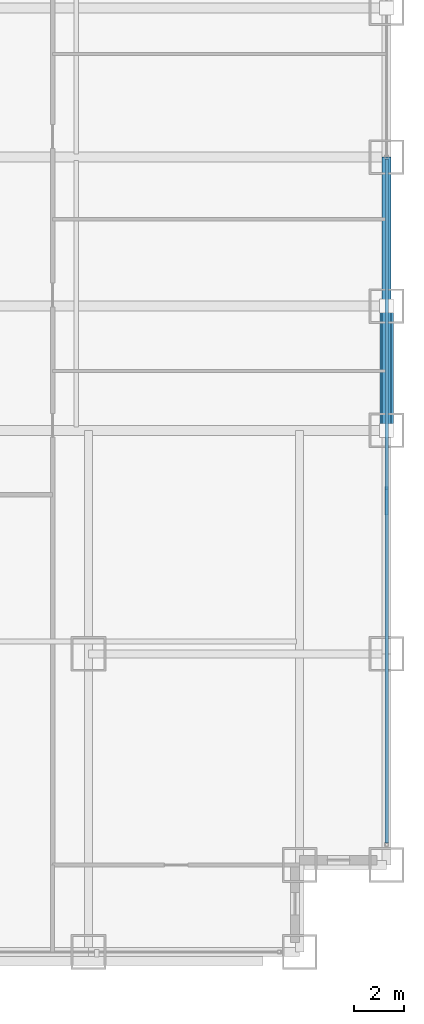
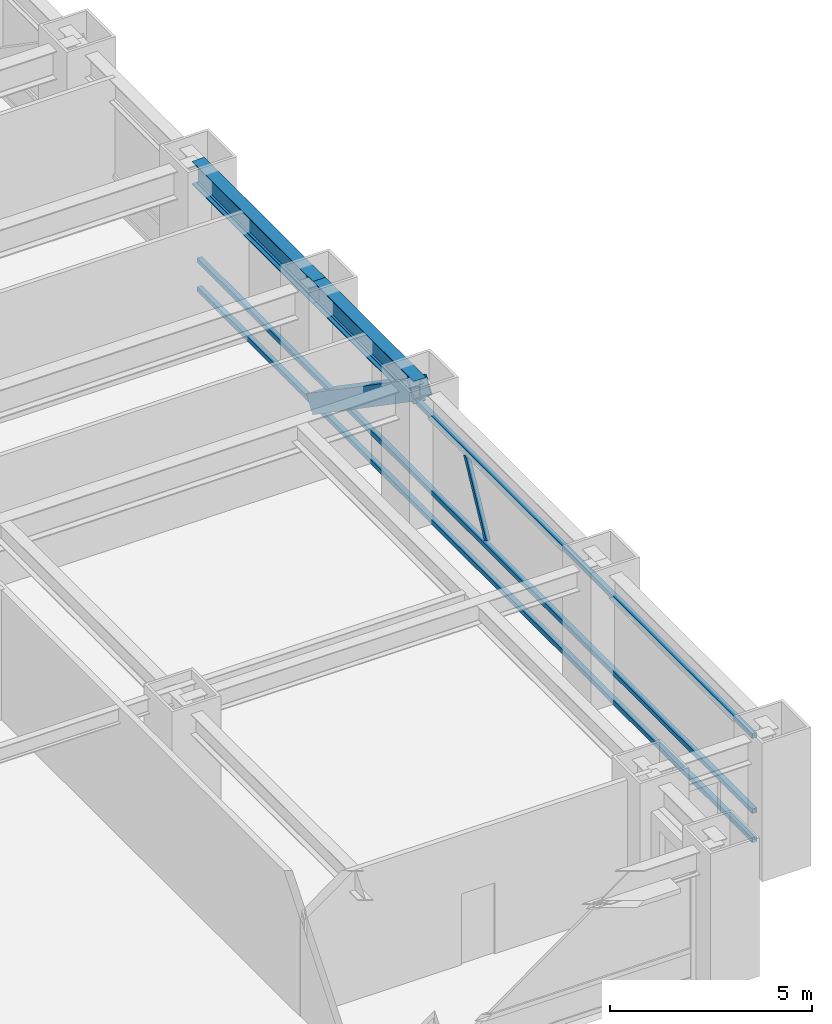
# One storey, part 13 of 32: 5 members, 2 beams, 1 element without a shape of its own.
"""IFC4 building model written with IfcOpenShell, lengths in metres."""

from ifc_helpers import new_model, si_unit, direction, frame, origin, origin_2d, place, context, subcontext, project, spatial, hollow_rectangle, i_section, extrude, source, transform, mapped, material, material_profile, profile_set, type_object, element, aggregate, save


model = new_model("IFC4")

# Units and contexts
model_context = context("Model", 3, precision=1e-05, world=origin(), true_north=direction((0.0, 1.0)))
body_context = subcontext(model_context, "Body", "Model", "MODEL_VIEW")
ifc_project = project(units=[si_unit("LENGTHUNIT", "METRE"), si_unit("AREAUNIT", "SQUARE_METRE"), si_unit("VOLUMEUNIT", "CUBIC_METRE"), si_unit("PLANEANGLEUNIT", "RADIAN"), si_unit("MASSUNIT", "GRAM", prefix="KILO")], contexts=[model_context])

# Site, building, storey
site_placement = place(None, origin())
site = spatial("IfcSite", under=ifc_project, at=site_placement, CompositionType="ELEMENT")
building_placement = place(site_placement, origin())
building = spatial("IfcBuilding", under=site, at=building_placement, Name="Khorayat Bourse Tower", CompositionType="ELEMENT")
storey_placement = place(building_placement, frame((0.0, 0.0, 70.39990234375)))
storey = spatial("IfcBuildingStorey", under=building, at=storey_placement, Name="L15", CompositionType="ELEMENT", Elevation=70.39990234375)

# Beams
ifc_material_1 = material(Name="Steel ASTM A992 Grade 50", Category="steel")
ifc_material_profile_1 = material_profile(ifc_material_1, i_section(OverallWidth=0.35498046875, OverallDepth=0.695068359375, WebThickness=0.015380859375, FlangeThickness=0.02490234375, FilletRadius=0.01806640625, at=origin_2d()), Name="W690X217")
ifc_profile_set_1 = profile_set([ifc_material_profile_1], Name="Steel ASTM A992 Grade 50")
beam_type = type_object("IfcBeamType", Name="BM-SPAN-690", PredefinedType="SPANDREL", material=ifc_profile_set_1)
shared_shape_1 = source(origin(), body_context, "Body", "SweptSolid", [
    extrude(i_section(OverallWidth=0.35498046875, OverallDepth=0.695068359375, WebThickness=0.015380859375, FlangeThickness=0.02490234375, FilletRadius=0.01806640625, at=origin_2d()), origin(), (0.0, 0.0, 1.0), 5.0),
])
beam_1_placement = place(storey_placement, frame((32.0, -11.0, 3.592529296875), z_axis=(0.0, 1.0, 0.0), x_axis=(-1.0, 0.0, 0.0)))
element("IfcBeam", 1, at=beam_1_placement, inside=storey, type_object=beam_type, Name="L15 BM-SPAN-690 BM-L15-SPN-036", PredefinedType="SPANDREL", context=body_context, shape_type="MappedRepresentation", body=[
    mapped(shared_shape_1, transform((0.0, 0.0, 0.0), scale=1.0)),
])
shared_shape_2 = source(origin(), body_context, "Body", "SweptSolid", [
    extrude(i_section(OverallWidth=0.35498046875, OverallDepth=0.695068359375, WebThickness=0.015380859375, FlangeThickness=0.02490234375, FilletRadius=0.01806640625, at=origin_2d()), origin(), (0.0, 0.0, 1.0), 6.0),
])
beam_2_placement = place(storey_placement, frame((32.0, -6.0, 3.592529296875), z_axis=(0.0, 1.0, 0.0), x_axis=(-1.0, 0.0, 0.0)))
element("IfcBeam", 2, at=beam_2_placement, inside=storey, type_object=beam_type, Name="L15 BM-SPAN-690 BM-L15-SPN-037", PredefinedType="SPANDREL", context=body_context, shape_type="MappedRepresentation", body=[
    mapped(shared_shape_2, transform((0.0, 0.0, 0.0), scale=1.0)),
])

# Member
ifc_material_2 = material(Name="Steel EN 10025-4 S460M", Category="steel")
ifc_material_profile_2 = material_profile(ifc_material_2, hollow_rectangle(XDim=0.550048828125, YDim=0.550048828125, WallThickness=0.031982421875, at=origin_2d()), Name="HSS 550x550x32")
ifc_profile_set_2 = profile_set([ifc_material_profile_2], Name="Steel EN 10025-4 S460M")
member_type_1 = type_object("IfcMemberType", Name="MBR-TUBE-550", PredefinedType="BRACE", material=ifc_profile_set_2)
shared_shape_3 = source(origin(), body_context, "Body", "SweptSolid", [
    extrude(hollow_rectangle(XDim=0.550048828125, YDim=0.550048828125, WallThickness=0.031982421875, at=origin_2d()), origin(), (0.0, 0.0, 1.0), 6.069091796875),
])
member_1_placement = place(storey_placement, frame((32.0, -11.0, 3.690185546875), z_axis=(0.0, 0.823835295996, -0.566829255659), x_axis=(-1.0, 0.0, 0.0)))
element("IfcMember", 3, at=member_1_placement, inside=storey, type_object=member_type_1, Name="L15 Perimeter Tube Brace 07", PredefinedType="BRACE", context=body_context, shape_type="MappedRepresentation", body=[
    mapped(shared_shape_3, transform((0.0, 0.0, 0.0), scale=1.0)),
])

# Curtain wall, members
ifc_material_3 = material(Name="Aluminium EN AW-6063 T6", Category="aluminium")
curtain_wall_type = type_object("IfcCurtainWallType", Name="CW-SYS-02", PredefinedType="NOTDEFINED", material=ifc_material_3)
curtain_wall_placement = place(storey_placement, origin())
curtain_wall = element("IfcCurtainWall", 4, at=curtain_wall_placement, inside=storey, type_object=curtain_wall_type, Name="L15 Curtain Wall CW-L15-E1", PredefinedType="NOTDEFINED")
ifc_material_profile_3 = material_profile(ifc_material_3, hollow_rectangle(XDim=0.1201171875, YDim=0.1201171875, WallThickness=0.0048828125, at=origin_2d()), Name="ALU 120x120x5")
ifc_profile_set_3 = profile_set([ifc_material_profile_3], Name="Aluminium EN AW-6063 T6")
member_type_2 = type_object("IfcMemberType", Name="CWM-DIAG-120", PredefinedType="MULLION", material=ifc_profile_set_3)
shared_shape_4 = source(origin(), body_context, "Body", "SweptSolid", [
    extrude(hollow_rectangle(XDim=0.1201171875, YDim=0.1201171875, WallThickness=0.0048828125, at=origin_2d()), origin(), (0.0, 0.0, 1.0), 2.22607421875),
])
member_2_placement = place(storey_placement, frame((32.0, -14.3583984375, 1.10009765625), z_axis=(0.0, 0.465759992596, 0.884911085532), x_axis=(-1.0, 0.0, 0.0)))
member_2 = element("IfcMember", 5, at=member_2_placement, type_object=member_type_2, Name="CW-L15-E1 Faceted Diagonal Mullion 1", PredefinedType="MULLION", context=body_context, shape_type="MappedRepresentation", body=[
    mapped(shared_shape_4, transform((0.0, 0.0, 0.0), scale=1.0)),
])
ifc_material_profile_4 = material_profile(ifc_material_3, hollow_rectangle(XDim=0.139892578125, YDim=0.139892578125, WallThickness=0.006103515625, at=origin_2d()), Name="ALU 140x140x6")
ifc_profile_set_4 = profile_set([ifc_material_profile_4], Name="Aluminium EN AW-6063 T6")
member_type_3 = type_object("IfcMemberType", Name="CWT-HORZ-140", PredefinedType="USERDEFINED", material=ifc_profile_set_4)
shared_shape_5 = source(origin(), body_context, "Body", "SweptSolid", [
    extrude(hollow_rectangle(XDim=0.139892578125, YDim=0.139892578125, WallThickness=0.006103515625, at=origin_2d()), origin(), (0.0, 0.0, 1.0), 27.5400390625),
])
member_3_placement = place(storey_placement, frame((32.0, -27.610107421875, 0.070068359375), z_axis=(0.0, 1.0, 0.0), x_axis=(-1.0, 0.0, 0.0)))
member_3 = element("IfcMember", 6, at=member_3_placement, type_object=member_type_3, Name="CW-L15-E1 Horizontal Transom 1-1", ObjectType="TRANSOM", PredefinedType="USERDEFINED", context=body_context, shape_type="MappedRepresentation", body=[
    mapped(shared_shape_5, transform((0.0, 0.0, 0.0), scale=1.0)),
])
member_4_placement = place(storey_placement, frame((32.0, -27.610107421875, 0.9501953125), z_axis=(0.0, 1.0, 0.0), x_axis=(-1.0, 0.0, 0.0)))
member_4 = element("IfcMember", 7, at=member_4_placement, type_object=member_type_3, Name="CW-L15-E1 Horizontal Transom 1-2", ObjectType="TRANSOM", PredefinedType="USERDEFINED", context=body_context, shape_type="MappedRepresentation", body=[
    mapped(shared_shape_5, transform((0.0, 0.0, 0.0), scale=1.0)),
])
member_5_placement = place(storey_placement, frame((32.0, -27.610107421875, 3.22021484375), z_axis=(0.0, 1.0, 0.0), x_axis=(-1.0, 0.0, 0.0)))
member_5 = element("IfcMember", 8, at=member_5_placement, type_object=member_type_3, Name="CW-L15-E1 Horizontal Transom 1-3", ObjectType="TRANSOM", PredefinedType="USERDEFINED", context=body_context, shape_type="MappedRepresentation", body=[
    mapped(shared_shape_5, transform((0.0, 0.0, 0.0), scale=1.0)),
])
aggregate(curtain_wall, [member_3, member_4, member_5, member_2])

save(model, "model.ifc")
